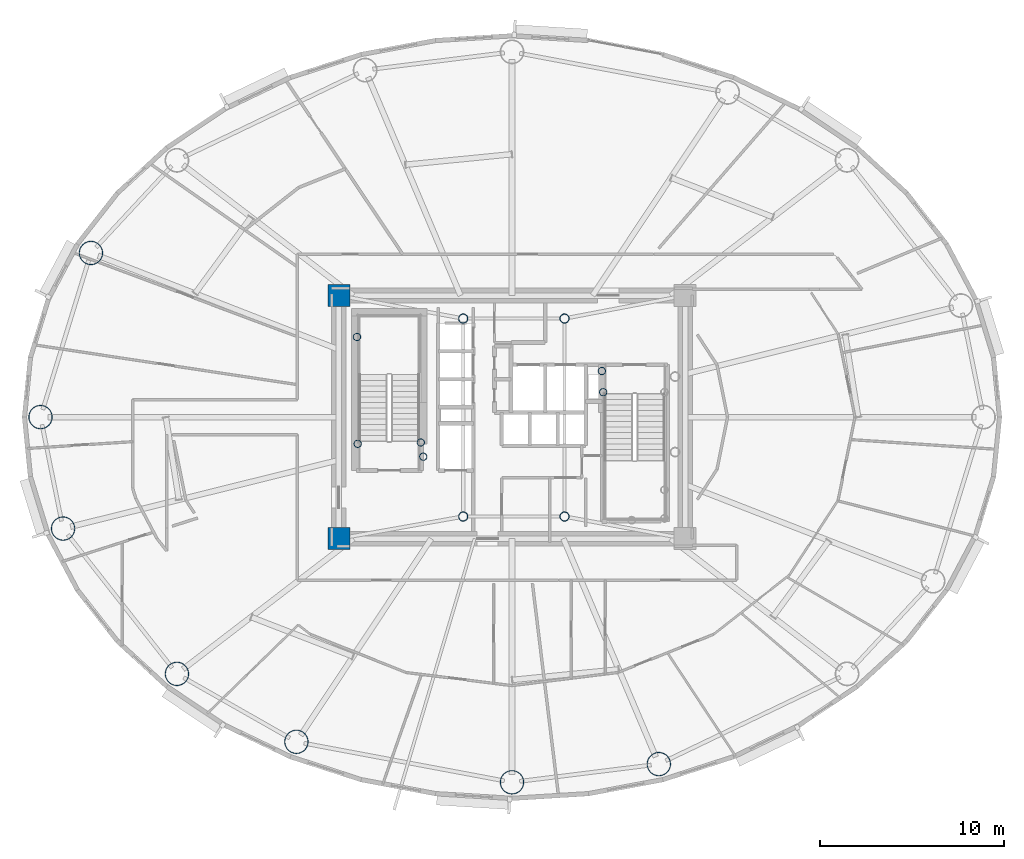
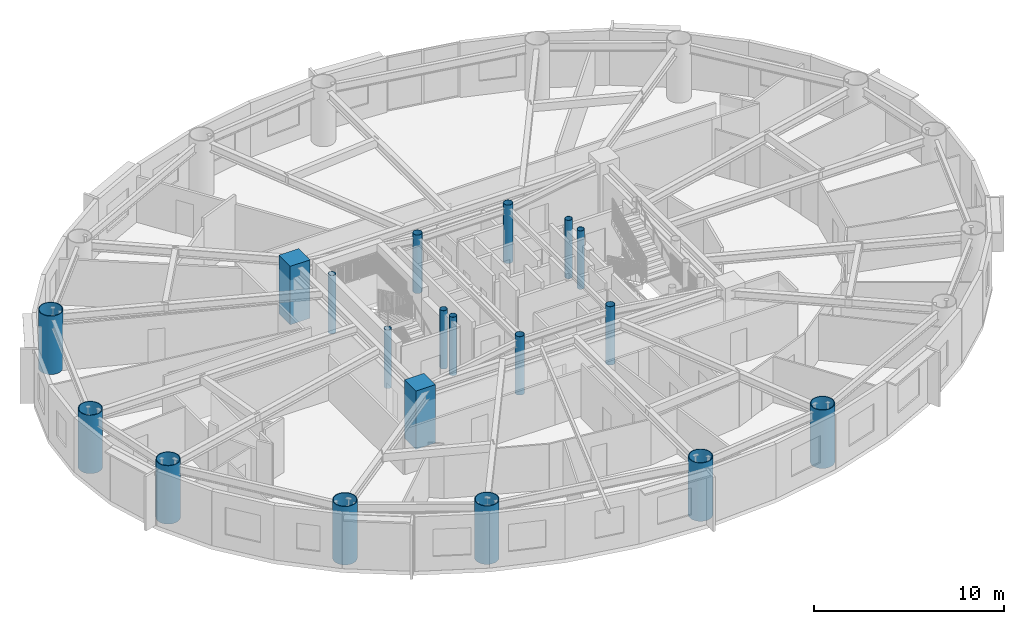
# One storey, part 1 of 21: 19 columns.
"""IFC4 building model written with IfcOpenShell, lengths in metres."""

from ifc_helpers import new_model, si_unit, direction, frame, origin, origin_2d, place, context, subcontext, project, spatial, rectangle, hollow_circle, extrude, material, material_profile, profile_set, type_object, element, save


model = new_model("IFC4")

# Units and contexts
model_context = context("Model", 3, precision=1e-05, world=origin(), true_north=direction((0.0, 1.0)))
body_context = subcontext(model_context, "Body", "Model", "MODEL_VIEW")
ifc_project = project(units=[si_unit("LENGTHUNIT", "METRE"), si_unit("AREAUNIT", "SQUARE_METRE"), si_unit("VOLUMEUNIT", "CUBIC_METRE"), si_unit("PLANEANGLEUNIT", "RADIAN"), si_unit("MASSUNIT", "GRAM", prefix="KILO")], contexts=[model_context])

# Site, building, storey
site_placement = place(None, origin())
site = spatial("IfcSite", under=ifc_project, at=site_placement, CompositionType="ELEMENT")
building_placement = place(site_placement, origin())
building = spatial("IfcBuilding", under=site, at=building_placement, Name="Linh Dai School and Residence Tower", CompositionType="ELEMENT")
storey_placement = place(building_placement, frame((0.0, 0.0, 171.14990234375)))
storey = spatial("IfcBuildingStorey", under=building, at=storey_placement, Name="L41", CompositionType="ELEMENT", Elevation=171.14990234375)

# Columns
ifc_material_1 = material(Name="Concrete B60 (C50/60)", Category="concrete")
ifc_material_profile_1 = material_profile(ifc_material_1, rectangle(XDim=1.199951171875, YDim=1.199951171875, at=origin_2d()), Name="RC 1200x1200")
ifc_profile_set_1 = profile_set([ifc_material_profile_1], Name="Concrete B60 (C50/60)")
column_type_1 = type_object("IfcColumnType", Name="COL-CC2", PredefinedType="COLUMN", material=ifc_profile_set_1)
for number, where, z_axis, x_axis, name in (
    (1, (26.60009765625, 20.39990234375, 0.0), (0.0, 0.0, 1.0), (1.0, 0.0, 0.0), "L41 Core Corner Pier CC1"),
    (2, (26.60009765625, 33.60009765625, 0.0), (0.0, 0.0, 1.0), (1.0, 0.0, 0.0), "L41 Core Corner Pier CC4"),
):
    element("IfcColumn", number, at=place(storey_placement, frame(where, z_axis=z_axis, x_axis=x_axis)), inside=storey, type_object=column_type_1, Name=name, PredefinedType="COLUMN", context=body_context, shape_type="SweptSolid", body=[
        extrude(rectangle(XDim=1.199951171875, YDim=1.199951171875, at=origin_2d()), origin(), (0.0, 0.0, 1.0), 3.75),
    ])
ifc_material_2 = material(Name="Structural Steel S355JR", Category="steel")
ifc_material_profile_2 = material_profile(ifc_material_2, hollow_circle(Radius=0.203125, WallThickness=0.01611328125, at=origin_2d()), Name="CHS 406.4x16")
ifc_profile_set_2 = profile_set([ifc_material_profile_2], Name="Structural Steel S355JR")
column_type_2 = type_object("IfcColumnType", Name="COL-EC", PredefinedType="COLUMN", material=ifc_profile_set_2)
for number, where, z_axis, x_axis, name in (
    (3, (27.580078125, 31.35009765625, 0.0), (0.0, 0.0, 1.0), (1.0, 0.0, 0.0), "L41 Stair Shaft Landing Support Pier ST1NW"),
    (4, (31.050048828125, 25.6201171875, 0.0), (0.0, 0.0, 1.0), (1.0, 0.0, 0.0), "L41 Stair Shaft Landing Support Pier ST1SE"),
    (5, (31.179931640625, 24.85009765625, 0.0), (0.0, 0.0, 1.0), (1.0, 0.0, 0.0), "L41 Stair Shaft Landing Support Pier ST1SM"),
    (6, (27.6201171875, 25.550048828125, 0.0), (0.0, 0.0, 1.0), (1.0, 0.0, 0.0), "L41 Stair Shaft Landing Support Pier ST1SW"),
    (7, (40.949951171875, 28.35009765625, 0.0), (0.0, 0.0, 1.0), (1.0, 0.0, 0.0), "L41 Stair Shaft Landing Support Pier ST2N1"),
    (8, (40.8798828125, 29.5, 0.0), (0.0, 0.0, 1.0), (1.0, 0.0, 0.0), "L41 Stair Shaft Landing Support Pier ST2N3"),
):
    element("IfcColumn", number, at=place(storey_placement, frame(where, z_axis=z_axis, x_axis=x_axis)), inside=storey, type_object=column_type_2, Name=name, PredefinedType="COLUMN", context=body_context, shape_type="SweptSolid", body=[
        extrude(hollow_circle(Radius=0.203125, WallThickness=0.01611328125, at=origin_2d()), origin(), (0.0, 0.0, 1.0), 3.75),
    ])
ifc_material_profile_3 = material_profile(ifc_material_2, hollow_circle(Radius=0.64990234375, WallThickness=0.0400390625, at=origin_2d()), Name="CHS 1300x40")
ifc_profile_set_3 = profile_set([ifc_material_profile_3], Name="Structural Steel S355JR")
column_type_3 = type_object("IfcColumnType", Name="COL-MC4", PredefinedType="COLUMN", material=ifc_profile_set_3)
for number, where, z_axis, x_axis, name in (
    (9, (13.137451171875, 35.9111328125, 0.0), (0.0, 0.0, 1.0), (1.0, 0.0, 0.0), "L41 Perimeter CFT Mega-Column MC08"),
    (10, (10.39990234375, 27.0, 0.0), (0.0, 0.0, 1.0), (1.0, 0.0, 0.0), "L41 Perimeter CFT Mega-Column MC09"),
    (11, (11.62548828125, 20.946533203125, 0.0), (0.0, 0.0, 1.0), (1.0, 0.0, 0.0), "L41 Perimeter CFT Mega-Column MC10"),
    (12, (17.8076171875, 13.058349609375, 0.0), (0.0, 0.0, 1.0), (1.0, 0.0, 0.0), "L41 Perimeter CFT Mega-Column MC11"),
    (13, (24.29443359375, 9.369140625, 0.0), (0.0, 0.0, 1.0), (1.0, 0.0, 0.0), "L41 Perimeter CFT Mega-Column MC12"),
    (14, (36.0, 7.169921875, 0.0), (0.0, 0.0, 1.0), (1.0, 0.0, 0.0), "L41 Perimeter CFT Mega-Column MC13"),
    (15, (43.973388671875, 8.15869140625, 0.0), (0.0, 0.0, 1.0), (1.0, 0.0, 0.0), "L41 Perimeter CFT Mega-Column MC14"),
):
    element("IfcColumn", number, at=place(storey_placement, frame(where, z_axis=z_axis, x_axis=x_axis)), inside=storey, type_object=column_type_3, Name=name, PredefinedType="COLUMN", context=body_context, shape_type="SweptSolid", body=[
        extrude(hollow_circle(Radius=0.64990234375, WallThickness=0.0400390625, at=origin_2d()), origin(), (0.0, 0.0, 1.0), 3.75),
    ])
ifc_material_profile_4 = material_profile(ifc_material_2, hollow_circle(Radius=0.25390625, WallThickness=0.02001953125, at=origin_2d()), Name="CHS 508x20")
ifc_profile_set_4 = profile_set([ifc_material_profile_4], Name="Structural Steel S355JR")
column_type_4 = type_object("IfcColumnType", Name="COL-MCP", PredefinedType="COLUMN", material=ifc_profile_set_4)
for number, where, z_axis, x_axis, name in (
    (16, (33.35009765625, 21.60009765625, 0.0), (0.0, 0.0, 1.0), (1.0, 0.0, 0.0), "L41 Core Mast Support Pier MCP1"),
    (17, (38.85009765625, 21.60009765625, 0.0), (0.0, 0.0, 1.0), (1.0, 0.0, 0.0), "L41 Core Mast Support Pier MCP2"),
    (18, (38.85009765625, 32.35009765625, 0.0), (0.0, 0.0, 1.0), (1.0, 0.0, 0.0), "L41 Core Mast Support Pier MCP3"),
    (19, (33.35009765625, 32.35009765625, 0.0), (0.0, 0.0, 1.0), (1.0, 0.0, 0.0), "L41 Core Mast Support Pier MCP4"),
):
    element("IfcColumn", number, at=place(storey_placement, frame(where, z_axis=z_axis, x_axis=x_axis)), inside=storey, type_object=column_type_4, Name=name, PredefinedType="COLUMN", context=body_context, shape_type="SweptSolid", body=[
        extrude(hollow_circle(Radius=0.25390625, WallThickness=0.02001953125, at=origin_2d()), origin(), (0.0, 0.0, 1.0), 3.75),
    ])

save(model, "model.ifc")
